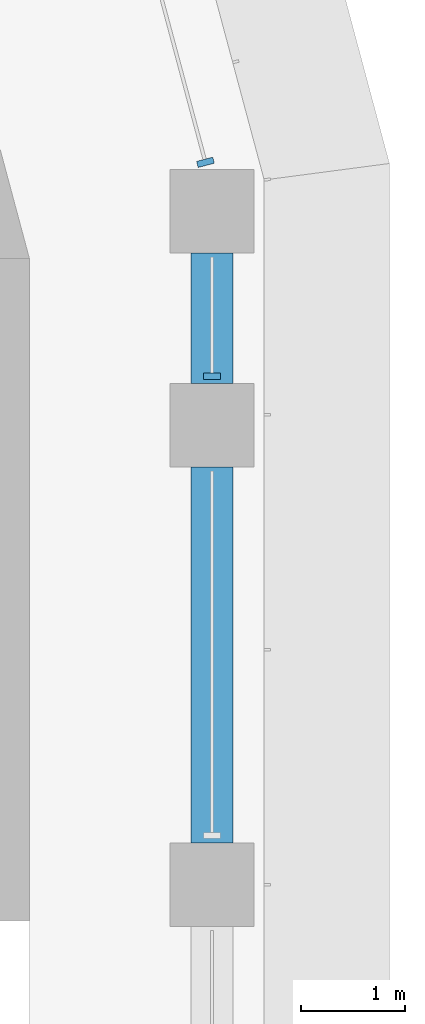
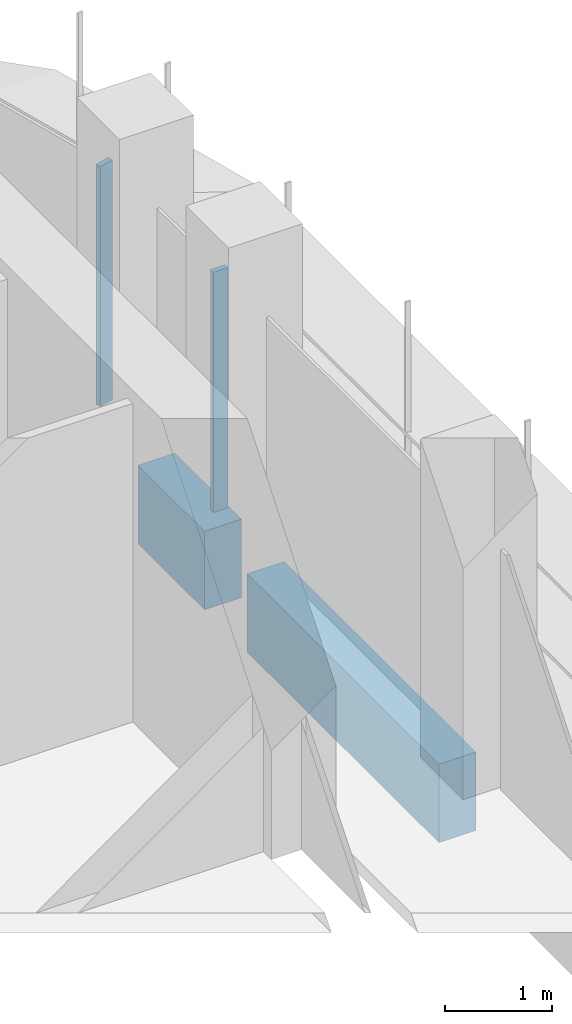
# One storey, part 9 of 20: 2 beams, 2 members, 2 elements without a shape of their own.
"""IFC4 building model written with IfcOpenShell, lengths in metres."""

import ifcopenshell
import ifcopenshell.guid

model = None  # the IFC model being written
_history = None  # IfcOwnerHistory: only IFC2X3 demands one
_inside = {}  # id of a spatial element -> (the spatial element, [elements in it])
_under = {}  # id of a project, library or spatial element -> (it, [spatial elements below it])
_declared = {}  # id of a project -> (the project, [libraries it declares])
_typed = {}  # id of a type object -> (the type object, [elements of that type])
_made_of = {}  # id of a material, layer set ... -> (it, [elements and type objects made of it])


def new_model(schema):
    """Start an empty IFC model of exactly this schema.

    Asked for "IFC4X3", IfcOpenShell would pick the latest addendum, in which some entities
    have other attributes; the version numbers below select the first issue.
    IFC2X3 requires an IfcOwnerHistory on every rooted entity: one is made here for all.
    """
    global model, _history
    if schema == "IFC4X3":
        model = ifcopenshell.file(schema_version=(4, 3, 0, 0))
    else:
        model = ifcopenshell.file(schema=schema)
    _inside.clear()
    _under.clear()
    _declared.clear()
    _typed.clear()
    _made_of.clear()
    _history = None
    if model.schema == "IFC2X3":
        org = make("IfcOrganization", Name="unknown")
        user = make(
            "IfcPersonAndOrganization",
            ThePerson=make("IfcPerson", FamilyName="unknown"),
            TheOrganization=org,
        )
        app = make(
            "IfcApplication",
            ApplicationDeveloper=org,
            Version="unknown",
            ApplicationFullName="unknown",
            ApplicationIdentifier="unknown",
        )
        _history = make(
            "IfcOwnerHistory",
            OwningUser=user,
            OwningApplication=app,
            ChangeAction="ADDED",
            CreationDate=0,
        )
    return model


def make(cls, **values):
    """One entity of the class cls with the attributes given. An attribute that is None is left unset."""
    return model.create_entity(
        cls, **{name: value for name, value in values.items() if value is not None}
    )


def rooted(cls, **values):
    """An entity with a GlobalId (a new one), such as an element, a storey or a relation."""
    return make(cls, GlobalId=ifcopenshell.guid.new(), OwnerHistory=_history, **values)


def si_unit(unit_type, name, prefix=None):
    """IfcSIUnit, for example si_unit("LENGTHUNIT", "METRE", prefix="MILLI")."""
    return make("IfcSIUnit", UnitType=unit_type, Prefix=prefix, Name=name)


def assignment(units):
    """IfcUnitAssignment: the units of a project."""
    return None if units is None else make("IfcUnitAssignment", Units=units)


def point(xyz):
    """IfcCartesianPoint."""
    return None if xyz is None else make("IfcCartesianPoint", Coordinates=xyz)


def direction(xyz):
    """IfcDirection."""
    return None if xyz is None else make("IfcDirection", DirectionRatios=xyz)


def frame(location, z_axis=None, x_axis=None):
    """IfcAxis2Placement3D, a coordinate frame: its origin and axes. An axis left out is left unset."""
    return make(
        "IfcAxis2Placement3D",
        Location=point(location),
        Axis=direction(z_axis),
        RefDirection=direction(x_axis),
    )


def frame_2d(location, x_axis=None):
    """IfcAxis2Placement2D, a coordinate frame in the plane: its origin and x axis."""
    return make(
        "IfcAxis2Placement2D", Location=point(location), RefDirection=direction(x_axis)
    )


def origin():
    """The frame at (0, 0, 0) with its axes left unset."""
    return frame((0.0, 0.0, 0.0))


def origin_2d():
    """The frame at (0, 0) in the plane with its x axis left unset."""
    return frame_2d((0.0, 0.0))


def place(relative_to, where):
    """IfcLocalPlacement: puts the frame where relative to a parent placement (None: the world)."""
    return make(
        "IfcLocalPlacement", PlacementRelTo=relative_to, RelativePlacement=where
    )


def context(
    kind, dimensions, precision=None, world=None, true_north=None, identifier=None
):
    """IfcGeometricRepresentationContext, for example the 3D "Model" context."""
    return make(
        "IfcGeometricRepresentationContext",
        ContextIdentifier=identifier,
        ContextType=kind,
        CoordinateSpaceDimension=dimensions,
        Precision=precision,
        WorldCoordinateSystem=world,
        TrueNorth=true_north,
    )


def subcontext(parent, identifier, kind, view, scale=None):
    """IfcGeometricRepresentationSubContext, for example "Body" below "Model"."""
    return make(
        "IfcGeometricRepresentationSubContext",
        ContextIdentifier=identifier,
        ContextType=kind,
        ParentContext=parent,
        TargetScale=scale,
        TargetView=view,
    )


def project(units=None, contexts=None):
    """IfcProject with its units and contexts."""
    return rooted(
        "IfcProject",
        Name="project",
        RepresentationContexts=contexts,
        UnitsInContext=assignment(units),
    )


def spatial(cls, under=None, at=None, **own):
    """A site, building, storey or space (cls), placed at a placement, below another one or the project."""
    s = rooted(cls, ObjectPlacement=at, **own)
    if under is not None:
        _under.setdefault(under.id(), (under, []))[1].append(s)
    return s


def polyline(points):
    """IfcPolyline through the points."""
    return make("IfcPolyline", Points=[point(p) for p in points])


def profile(cls, at=None, kind="AREA", **sizes):
    """A parametric profile (cls). Its sizes go by their IFC names, for example OverallWidth=200.0."""
    return make(cls, ProfileType=kind, Position=at, **sizes)


def rectangle(**sizes):
    """IfcRectangleProfileDef."""
    return profile("IfcRectangleProfileDef", **sizes)


def outline(outer, holes=None, kind="AREA"):
    """IfcArbitraryClosedProfileDef: a profile drawn as a closed curve; with holes, ...WithVoids."""
    if holes is None:
        return make("IfcArbitraryClosedProfileDef", ProfileType=kind, OuterCurve=outer)
    return make(
        "IfcArbitraryProfileDefWithVoids",
        ProfileType=kind,
        OuterCurve=outer,
        InnerCurves=holes,
    )


def extrude(swept, where, along, depth):
    """IfcExtrudedAreaSolid: the profile swept, set in the frame where, extruded along a direction by depth."""
    return make(
        "IfcExtrudedAreaSolid",
        SweptArea=swept,
        Position=where,
        ExtrudedDirection=direction(along),
        Depth=depth,
    )


def shape(context_of_items, identifier, shape_type, items):
    """IfcShapeRepresentation: the items that make up one representation, for example the "Body"."""
    return make(
        "IfcShapeRepresentation",
        ContextOfItems=context_of_items,
        RepresentationIdentifier=identifier,
        RepresentationType=shape_type,
        Items=items,
    )


def source(mapping_origin, context_of_items, identifier, shape_type, items):
    """IfcRepresentationMap: a shape defined once, which mapped items show again and again."""
    return make(
        "IfcRepresentationMap",
        MappingOrigin=mapping_origin,
        MappedRepresentation=shape(context_of_items, identifier, shape_type, items),
    )


def transform(
    local_origin,
    x_axis=None,
    y_axis=None,
    z_axis=None,
    scale=None,
    scale2=None,
    scale3=None,
    uniform=True,
):
    """IfcCartesianTransformationOperator3D, or its non-uniform kind. x_axis, y_axis, z_axis: its Axis1, 2, 3."""
    if uniform:
        return make(
            "IfcCartesianTransformationOperator3D",
            Axis1=direction(x_axis),
            Axis2=direction(y_axis),
            LocalOrigin=point(local_origin),
            Scale=scale,
            Axis3=direction(z_axis),
        )
    return make(
        "IfcCartesianTransformationOperator3DnonUniform",
        Axis1=direction(x_axis),
        Axis2=direction(y_axis),
        LocalOrigin=point(local_origin),
        Scale=scale,
        Axis3=direction(z_axis),
        Scale2=scale2,
        Scale3=scale3,
    )


def mapped(mapping_source, mapping_target):
    """IfcMappedItem: shows the shape of a source again, moved by a transform."""
    return make(
        "IfcMappedItem", MappingSource=mapping_source, MappingTarget=mapping_target
    )


def material(Name=None, Category=None):
    """IfcMaterial."""
    return make("IfcMaterial", Name=Name, Category=Category)


def material_profile(
    of_material, cross_section, Name=None, Category=None, Priority=None
):
    """IfcMaterialProfile: a cross section and its material."""
    return make(
        "IfcMaterialProfile",
        Name=Name,
        Material=of_material,
        Profile=cross_section,
        Priority=Priority,
        Category=Category,
    )


def profile_set(profiles, Name=None, composite=None):
    """IfcMaterialProfileSet."""
    return make(
        "IfcMaterialProfileSet",
        Name=Name,
        MaterialProfiles=profiles,
        CompositeProfile=composite,
    )


def made_of(thing, what):
    """Note that an element or type object is made of a material, layer set ...; save() writes the relation."""
    if what is not None:
        _made_of.setdefault(what.id(), (what, []))[1].append(thing)
    return thing


def type_object(cls, material=None, **own):
    """A type object (cls), such as IfcWallType, which elements share."""
    return made_of(rooted(cls, **own), material)


def element(
    cls,
    number,
    at=None,
    inside=None,
    cuts=None,
    type_object=None,
    material=None,
    context=None,
    identifier="Body",
    shape_type=None,
    held_by="IfcProductDefinitionShape",
    body=None,
    shapes=None,
    **own,
):
    """One element of the class cls, such as IfcWall. Its Tag is "e" and its number.

    at: its placement. inside: the storey or other place that contains it. cuts: it is an
    opening in that element (IfcRelVoidsElement). A single representation is given by context,
    identifier, shape_type and body (its items); several are given by shapes. held_by: the class
    of the entity that holds the representations. save() writes the other relations.
    """
    e = rooted(cls, Tag="e%d" % number, ObjectPlacement=at, **own)
    if body is not None:
        shapes = [shape(context, identifier, shape_type, body)]
    if shapes is not None:
        e.Representation = make(held_by, Representations=shapes)
    if inside is not None:
        _inside.setdefault(inside.id(), (inside, []))[1].append(e)
    if cuts is not None:
        rooted(
            "IfcRelVoidsElement", RelatingBuildingElement=cuts, RelatedOpeningElement=e
        )
    if type_object is not None:
        _typed.setdefault(type_object.id(), (type_object, []))[1].append(e)
    return made_of(e, material)


def aggregate(whole, parts):
    """IfcRelAggregates: a whole, such as a stair, and the parts it consists of."""
    return rooted("IfcRelAggregates", RelatingObject=whole, RelatedObjects=parts)


def save(model, path):
    """Write the relations noted so far, then the file.

    IfcRelAggregates (storeys below a building ...), IfcRelContainedInSpatialStructure (elements
    in a storey), IfcRelDefinesByType, IfcRelAssociatesMaterial and IfcRelDeclares: one each for
    every whole, place, type object, material and project.
    """
    for whole, parts in _under.values():
        aggregate(whole, parts)
    for where, things in _inside.values():
        rooted(
            "IfcRelContainedInSpatialStructure",
            RelatedElements=things,
            RelatingStructure=where,
        )
    for kind, things in _typed.values():
        rooted("IfcRelDefinesByType", RelatedObjects=things, RelatingType=kind)
    for what, things in _made_of.values():
        rooted("IfcRelAssociatesMaterial", RelatedObjects=things, RelatingMaterial=what)
    for by, libraries in _declared.values():
        rooted("IfcRelDeclares", RelatingContext=by, RelatedDefinitions=libraries)
    model.write(path)


model = new_model("IFC4")

# Units and contexts
model_context = context("Model", 3, precision=1e-05, world=origin(), true_north=direction((0.0, 1.0)))
body_context = subcontext(model_context, "Body", "Model", "MODEL_VIEW")
ifc_project = project(units=[si_unit("LENGTHUNIT", "METRE"), si_unit("AREAUNIT", "SQUARE_METRE"), si_unit("VOLUMEUNIT", "CUBIC_METRE"), si_unit("PLANEANGLEUNIT", "RADIAN"), si_unit("MASSUNIT", "GRAM", prefix="KILO")], contexts=[model_context])

# Site, building, storey
site_placement = place(None, origin())
site = spatial("IfcSite", under=ifc_project, at=site_placement, CompositionType="ELEMENT")
building_placement = place(site_placement, origin())
building = spatial("IfcBuilding", under=site, at=building_placement, Name="Zarbagh Exchange Tower", CompositionType="ELEMENT")
storey_placement = place(building_placement, frame((0.0, 0.0, 148.60009765625)))
storey = spatial("IfcBuildingStorey", under=building, at=storey_placement, Name="L35", CompositionType="ELEMENT", Elevation=148.60009765625)

# Beams
ifc_material_1 = material(Name="Concrete C50/60", Category="concrete")
ifc_material_profile = material_profile(ifc_material_1, rectangle(XDim=0.39990234375, YDim=0.89990234375, at=origin_2d()), Name="RC spandrel beam 400 x 900 C50/60")
ifc_profile_set = profile_set([ifc_material_profile], Name="Concrete C50/60")
beam_type = type_object("IfcBeamType", Name="RC spandrel beam 400 x 900 C50/60", PredefinedType="SPANDREL", material=ifc_profile_set)
beam_1_placement = place(storey_placement, frame((6.25, 26.300048828125, -0.60009765625), z_axis=(0.0, -1.0, 0.0), x_axis=(1.0, 0.0, 0.0)))
element("IfcBeam", 1, at=beam_1_placement, inside=storey, type_object=beam_type, Name="RC spandrel beam", PredefinedType="SPANDREL", context=body_context, shape_type="SweptSolid", body=[
    extrude(rectangle(XDim=0.39990234375, YDim=0.89990234375, at=origin_2d()), origin(), (0.0, 0.0, 1.0), 1.25),
])
beam_2_placement = place(storey_placement, frame((6.25, 24.25, -0.60009765625), z_axis=(0.0, -1.0, 0.0), x_axis=(1.0, 0.0, 0.0)))
element("IfcBeam", 2, at=beam_2_placement, inside=storey, type_object=beam_type, Name="RC spandrel beam", PredefinedType="SPANDREL", context=body_context, shape_type="SweptSolid", body=[
    extrude(rectangle(XDim=0.39990234375, YDim=0.89990234375, at=origin_2d()), origin(), (0.0, 0.0, 1.0), 3.60009765625),
])

# Curtain wall, member
ifc_material_2 = material(Name="Anodised aluminium frame and glazing", Category="aluminium")
curtain_wall_type = type_object("IfcCurtainWallType", Name="CWB Ribbon glazing, upper zones", PredefinedType="NOTDEFINED", material=ifc_material_2)
curtain_wall_1_placement = place(storey_placement, origin())
curtain_wall_1 = element("IfcCurtainWall", 3, at=curtain_wall_1_placement, inside=storey, type_object=curtain_wall_type, Name="CWB20 curtain wall", PredefinedType="NOTDEFINED")
ifc_material_3 = material(Name="Anodised aluminium frame", Category="aluminium")
member_type = type_object("IfcMemberType", Name="MUB Mullion, anodised aluminium frame", PredefinedType="MULLION", material=ifc_material_3)
shared_shape = source(origin(), body_context, "Body", "SweptSolid", [
    extrude(outline(polyline([(0.0, -0.080078125), (0.06005859375, -0.080078125), (0.06005859375, 0.080078125), (0.0, 0.080078125), (0.0, -0.080078125)])), origin(), (0.0, 0.0, 1.0), 2.75),
])
placement = place(storey_placement, origin())
member_1 = element("IfcMember", 4, at=placement, type_object=member_type, Name="CWB20 mullion 4.1", PredefinedType="MULLION", context=body_context, shape_type="MappedRepresentation", body=[
    mapped(shared_shape, transform((6.25, 25.090087890625, 0.0), x_axis=(0.0, 1.0, 0.0), y_axis=(-1.0, 0.0, 0.0), z_axis=(0.0, 0.0, 1.0))),
])
aggregate(curtain_wall_1, [member_1])

curtain_wall_2_placement = place(storey_placement, origin())
curtain_wall_2 = element("IfcCurtainWall", 5, at=curtain_wall_2_placement, inside=storey, type_object=curtain_wall_type, Name="CWB21 curtain wall", PredefinedType="NOTDEFINED")
member_2 = element("IfcMember", 6, at=placement, type_object=member_type, Name="CWB21 mullion 1.1", PredefinedType="MULLION", context=body_context, shape_type="MappedRepresentation", body=[
    mapped(shared_shape, transform((6.19482421875, 27.139892578125, 0.0), x_axis=(-0.258824779902, 0.965924289636, 0.0), y_axis=(-0.965924289636, -0.258824779902, 0.0), z_axis=(0.0, 0.0, 1.0))),
])
aggregate(curtain_wall_2, [member_2])

save(model, "model.ifc")
